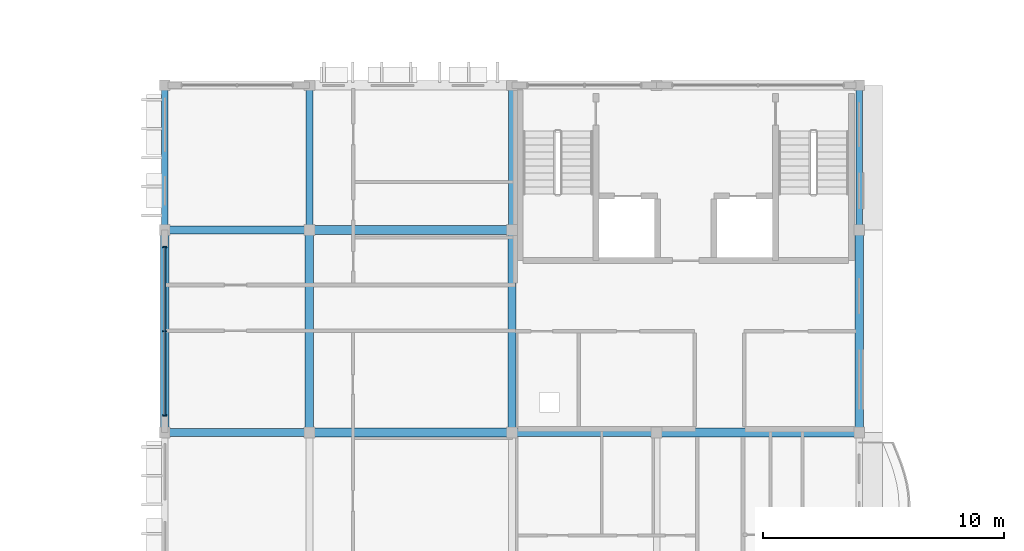
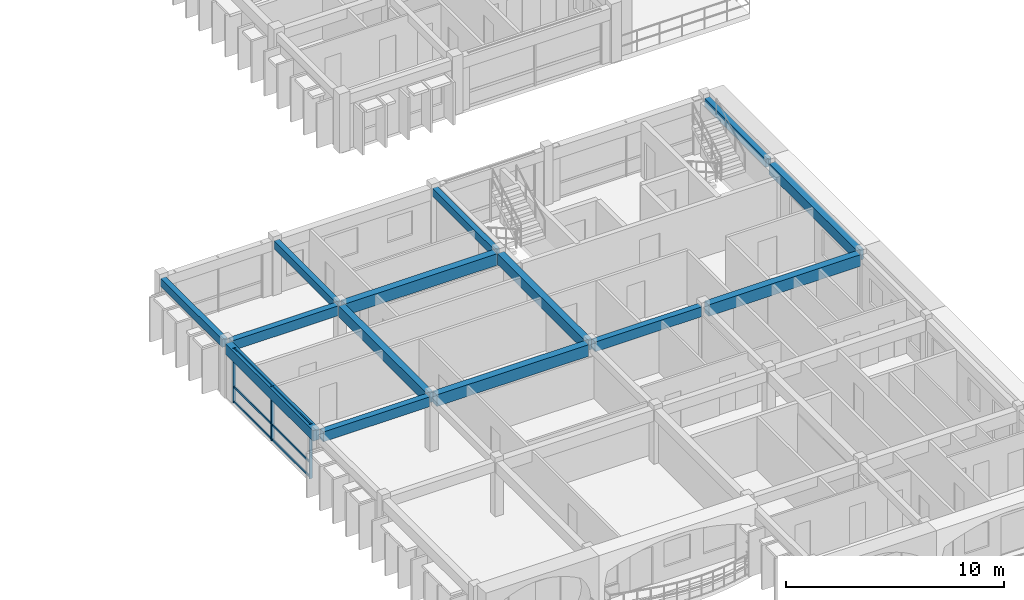
# One storey, part 13 of 68: 14 beams, 6 members, 1 element without a shape of its own.
"""IFC4 building model written with IfcOpenShell, lengths in metres."""

from ifc_helpers import new_model, si_unit, direction, frame, origin, origin_2d, place, context, subcontext, project, spatial, rectangle, extrude, material, material_profile, profile_set, type_object, element, aggregate, save


model = new_model("IFC4")

# Units and contexts
model_context = context("Model", 3, precision=1e-05, world=origin(), true_north=direction((0.0, 1.0)))
body_context = subcontext(model_context, "Body", "Model", "MODEL_VIEW")
ifc_project = project(units=[si_unit("LENGTHUNIT", "METRE"), si_unit("AREAUNIT", "SQUARE_METRE"), si_unit("VOLUMEUNIT", "CUBIC_METRE"), si_unit("PLANEANGLEUNIT", "RADIAN"), si_unit("MASSUNIT", "GRAM", prefix="KILO"), si_unit("THERMODYNAMICTEMPERATUREUNIT", "KELVIN")], contexts=[model_context])

# Site, building, storey
site_placement = place(None, origin())
site = spatial("IfcSite", under=ifc_project, at=site_placement, CompositionType="ELEMENT")
building_placement = place(site_placement, origin())
building = spatial("IfcBuilding", under=site, at=building_placement, Name="Thalorik Housing Commons", CompositionType="ELEMENT")
storey_placement = place(building_placement, frame((0.0, 0.0, 24.60009765625)))
storey = spatial("IfcBuildingStorey", under=building, at=storey_placement, Name="L07", CompositionType="ELEMENT", Elevation=24.60009765625)

# Curtain wall, members
ifc_material_1 = material(Name="Anodised aluminium and solar-control low-E glass", Category="aluminium")
curtain_wall_type = type_object("IfcCurtainWallType", Name="ARC-CW-LOUNGE", PredefinedType="USERDEFINED", material=ifc_material_1)
curtain_wall_placement = place(storey_placement, origin())
curtain_wall = element("IfcCurtainWall", 1, at=curtain_wall_placement, inside=storey, type_object=curtain_wall_type, Name="L07 Curtain Wall CW-RES-L07-D-201", ObjectType="CURTAIN WALL", PredefinedType="USERDEFINED")
ifc_material_2 = material(Name="Anodised aluminium 6063-T6", Category="aluminium")
ifc_material_profile_1 = material_profile(ifc_material_2, rectangle(XDim=0.06005859375, YDim=0.159912109375, at=origin_2d()), Name="ALU MUL 60x160", Category="aluminium")
ifc_profile_set_1 = profile_set([ifc_material_profile_1], Name="Anodised aluminium 6063-T6")
member_type_1 = type_object("IfcMemberType", Name="ARC-CW-MUL-60x160", PredefinedType="MULLION", material=ifc_profile_set_1)
member_1_placement = place(storey_placement, frame((138.0, 65.300048828125, 0.0), z_axis=(0.0, 0.0, 1.0), x_axis=(0.0, -1.0, 0.0)))
member_1 = element("IfcMember", 2, at=member_1_placement, type_object=member_type_1, Name="CW-RES-L07-D-201 Mullion 1", PredefinedType="MULLION", context=body_context, shape_type="SweptSolid", body=[
    extrude(rectangle(XDim=0.06005859375, YDim=0.159912109375, at=origin_2d()), origin(), (0.0, 0.0, 1.0), 3.039794921875),
])
member_2_placement = place(storey_placement, frame((138.0, 61.800048828125, 0.0), z_axis=(0.0, 0.0, 1.0), x_axis=(0.0, -1.0, 0.0)))
member_2 = element("IfcMember", 3, at=member_2_placement, type_object=member_type_1, Name="CW-RES-L07-D-201 Mullion 2", PredefinedType="MULLION", context=body_context, shape_type="SweptSolid", body=[
    extrude(rectangle(XDim=0.06005859375, YDim=0.159912109375, at=origin_2d()), origin(), (0.0, 0.0, 1.0), 3.039794921875),
])
member_3_placement = place(storey_placement, frame((138.0, 58.300048828125, 0.0), z_axis=(0.0, 0.0, 1.0), x_axis=(0.0, -1.0, 0.0)))
member_3 = element("IfcMember", 4, at=member_3_placement, type_object=member_type_1, Name="CW-RES-L07-D-201 Mullion 3", PredefinedType="MULLION", context=body_context, shape_type="SweptSolid", body=[
    extrude(rectangle(XDim=0.06005859375, YDim=0.159912109375, at=origin_2d()), origin(), (0.0, 0.0, 1.0), 3.039794921875),
])
ifc_material_profile_2 = material_profile(ifc_material_2, rectangle(XDim=0.06005859375, YDim=0.1201171875, at=origin_2d()), Name="ALU TRN 60x120", Category="aluminium")
ifc_profile_set_2 = profile_set([ifc_material_profile_2], Name="Anodised aluminium 6063-T6")
member_type_2 = type_object("IfcMemberType", Name="ARC-CW-TRN-60x120", PredefinedType="USERDEFINED", material=ifc_profile_set_2)
member_4_placement = place(storey_placement, frame((138.0, 65.300048828125, 0.054931640625), z_axis=(0.0, -1.0, 0.0), x_axis=(1.0, 0.0, 0.0)))
member_4 = element("IfcMember", 5, at=member_4_placement, type_object=member_type_2, Name="CW-RES-L07-D-201 Transom 1", ObjectType="TRANSOM", PredefinedType="USERDEFINED", context=body_context, shape_type="SweptSolid", body=[
    extrude(rectangle(XDim=0.06005859375, YDim=0.1201171875, at=origin_2d()), origin(), (0.0, 0.0, 1.0), 7.0),
])
member_5_placement = place(storey_placement, frame((138.0, 65.300048828125, 0.8798828125), z_axis=(0.0, -1.0, 0.0), x_axis=(1.0, 0.0, 0.0)))
member_5 = element("IfcMember", 6, at=member_5_placement, type_object=member_type_2, Name="CW-RES-L07-D-201 Transom 2", ObjectType="TRANSOM", PredefinedType="USERDEFINED", context=body_context, shape_type="SweptSolid", body=[
    extrude(rectangle(XDim=0.06005859375, YDim=0.1201171875, at=origin_2d()), origin(), (0.0, 0.0, 1.0), 7.0),
])
member_6_placement = place(storey_placement, frame((138.0, 65.300048828125, 2.98486328125), z_axis=(0.0, -1.0, 0.0), x_axis=(1.0, 0.0, 0.0)))
member_6 = element("IfcMember", 7, at=member_6_placement, type_object=member_type_2, Name="CW-RES-L07-D-201 Transom 3", ObjectType="TRANSOM", PredefinedType="USERDEFINED", context=body_context, shape_type="SweptSolid", body=[
    extrude(rectangle(XDim=0.06005859375, YDim=0.1201171875, at=origin_2d()), origin(), (0.0, 0.0, 1.0), 7.0),
])
aggregate(curtain_wall, [member_1, member_2, member_3, member_4, member_5, member_6])

# Beams
ifc_material_3 = material(Name="Precast concrete C40/50", Category="concrete")
ifc_material_profile_3 = material_profile(ifc_material_3, rectangle(XDim=0.280029296875, YDim=0.449951171875, at=origin_2d()), Name="PC 280x450", Category="concrete")
ifc_profile_set_3 = profile_set([ifc_material_profile_3], Name="Precast concrete C40/50")
beam_type_1 = type_object("IfcBeamType", Name="STR-BM-PC280x450", PredefinedType="BEAM", material=ifc_profile_set_3)
for number, where, z_axis, x_axis, name in (
    (8, (138.0, 66.175048828125, 2.81494140625), (0.0, 1.0, 0.0), (-1.0, 0.0, 0.0), "L07 Beam B-450"),
    (9, (144.0, 66.175048828125, 2.81494140625), (0.0, 1.0, 0.0), (-1.0, 0.0, 0.0), "L07 Beam B-450"),
    (10, (152.39990234375, 66.175048828125, 2.81494140625), (0.0, 1.0, 0.0), (-1.0, 0.0, 0.0), "L07 Beam B-450"),
    (11, (166.800048828125, 66.175048828125, 2.81494140625), (0.0, 1.0, 0.0), (-1.0, 0.0, 0.0), "L07 Beam B-450"),
):
    element("IfcBeam", number, at=place(storey_placement, frame(where, z_axis=z_axis, x_axis=x_axis)), inside=storey, type_object=beam_type_1, Name=name, PredefinedType="BEAM", context=body_context, shape_type="SweptSolid", body=[
        extrude(rectangle(XDim=0.280029296875, YDim=0.449951171875, at=origin_2d()), origin(), (0.0, 0.0, 1.0), 5.64990234375),
    ])
ifc_material_profile_4 = material_profile(ifc_material_3, rectangle(XDim=0.320068359375, YDim=0.550048828125, at=origin_2d()), Name="PC 320x550", Category="concrete")
ifc_profile_set_4 = profile_set([ifc_material_profile_4], Name="Precast concrete C40/50")
beam_type_2 = type_object("IfcBeamType", Name="STR-BM-PC320x550", PredefinedType="BEAM", material=ifc_profile_set_4)
beam_1_placement = place(storey_placement, frame((138.175048828125, 57.60009765625, 2.764892578125), z_axis=(1.0, 0.0, 0.0), x_axis=(0.0, 1.0, 0.0)))
element("IfcBeam", 12, at=beam_1_placement, inside=storey, type_object=beam_type_2, Name="L07 Beam B-550", PredefinedType="BEAM", context=body_context, shape_type="SweptSolid", body=[
    extrude(rectangle(XDim=0.320068359375, YDim=0.550048828125, at=origin_2d()), origin(), (0.0, 0.0, 1.0), 5.64990234375),
])
beam_2_placement = place(storey_placement, frame((152.574951171875, 57.60009765625, 2.764892578125), z_axis=(1.0, 0.0, 0.0), x_axis=(0.0, 1.0, 0.0)))
element("IfcBeam", 13, at=beam_2_placement, inside=storey, type_object=beam_type_2, Name="L07 Beam B-550", PredefinedType="BEAM", context=body_context, shape_type="SweptSolid", body=[
    extrude(rectangle(XDim=0.320068359375, YDim=0.550048828125, at=origin_2d()), origin(), (0.0, 0.0, 1.0), 5.650146484375),
])
beam_3_placement = place(storey_placement, frame((138.175048828125, 66.0, 2.764892578125), z_axis=(1.0, 0.0, 0.0), x_axis=(0.0, 1.0, 0.0)))
element("IfcBeam", 14, at=beam_3_placement, inside=storey, type_object=beam_type_2, Name="L07 Beam B-550", PredefinedType="BEAM", context=body_context, shape_type="SweptSolid", body=[
    extrude(rectangle(XDim=0.320068359375, YDim=0.550048828125, at=origin_2d()), origin(), (0.0, 0.0, 1.0), 5.64990234375),
])
ifc_material_profile_5 = material_profile(ifc_material_3, rectangle(XDim=0.35009765625, YDim=0.60009765625, at=origin_2d()), Name="PC 350x600", Category="concrete")
ifc_profile_set_5 = profile_set([ifc_material_profile_5], Name="Precast concrete C40/50")
beam_type_3 = type_object("IfcBeamType", Name="STR-BM-PC350x600", PredefinedType="BEAM", material=ifc_profile_set_5)
for number, where, z_axis, x_axis, name in (
    (15, (138.0, 57.77490234375, 2.739990234375), (0.0, 1.0, 0.0), (-1.0, 0.0, 0.0), "L07 Beam B-600"),
    (16, (144.0, 57.77490234375, 2.739990234375), (0.0, 1.0, 0.0), (-1.0, 0.0, 0.0), "L07 Beam B-600"),
    (17, (152.39990234375, 57.77490234375, 2.739990234375), (0.0, 1.0, 0.0), (-1.0, 0.0, 0.0), "L07 Beam B-600"),
    (18, (166.800048828125, 57.77490234375, 2.739990234375), (0.0, 1.0, 0.0), (-1.0, 0.0, 0.0), "L07 Beam B-600"),
):
    element("IfcBeam", number, at=place(storey_placement, frame(where, z_axis=z_axis, x_axis=x_axis)), inside=storey, type_object=beam_type_3, Name=name, PredefinedType="BEAM", context=body_context, shape_type="SweptSolid", body=[
        extrude(rectangle(XDim=0.35009765625, YDim=0.60009765625, at=origin_2d()), origin(), (0.0, 0.0, 1.0), 8.050048828125),
    ])
ifc_material_profile_6 = material_profile(ifc_material_3, rectangle(XDim=0.3798828125, YDim=0.64990234375, at=origin_2d()), Name="PC 380x650", Category="concrete")
ifc_profile_set_6 = profile_set([ifc_material_profile_6], Name="Precast concrete C40/50")
beam_type_4 = type_object("IfcBeamType", Name="STR-BM-PC380x650", PredefinedType="BEAM", material=ifc_profile_set_6)
for number, where, z_axis, x_axis, name in (
    (19, (144.175048828125, 57.60009765625, 2.71484375), (1.0, 0.0, 0.0), (0.0, 1.0, 0.0), "L07 Beam B-650"),
    (20, (158.574951171875, 57.60009765625, 2.71484375), (1.0, 0.0, 0.0), (0.0, 1.0, 0.0), "L07 Beam B-650"),
    (21, (144.175048828125, 66.0, 2.71484375), (1.0, 0.0, 0.0), (0.0, 1.0, 0.0), "L07 Beam B-650"),
):
    element("IfcBeam", number, at=place(storey_placement, frame(where, z_axis=z_axis, x_axis=x_axis)), inside=storey, type_object=beam_type_4, Name=name, PredefinedType="BEAM", context=body_context, shape_type="SweptSolid", body=[
        extrude(rectangle(XDim=0.3798828125, YDim=0.64990234375, at=origin_2d()), origin(), (0.0, 0.0, 1.0), 8.050048828125),
    ])

save(model, "model.ifc")
